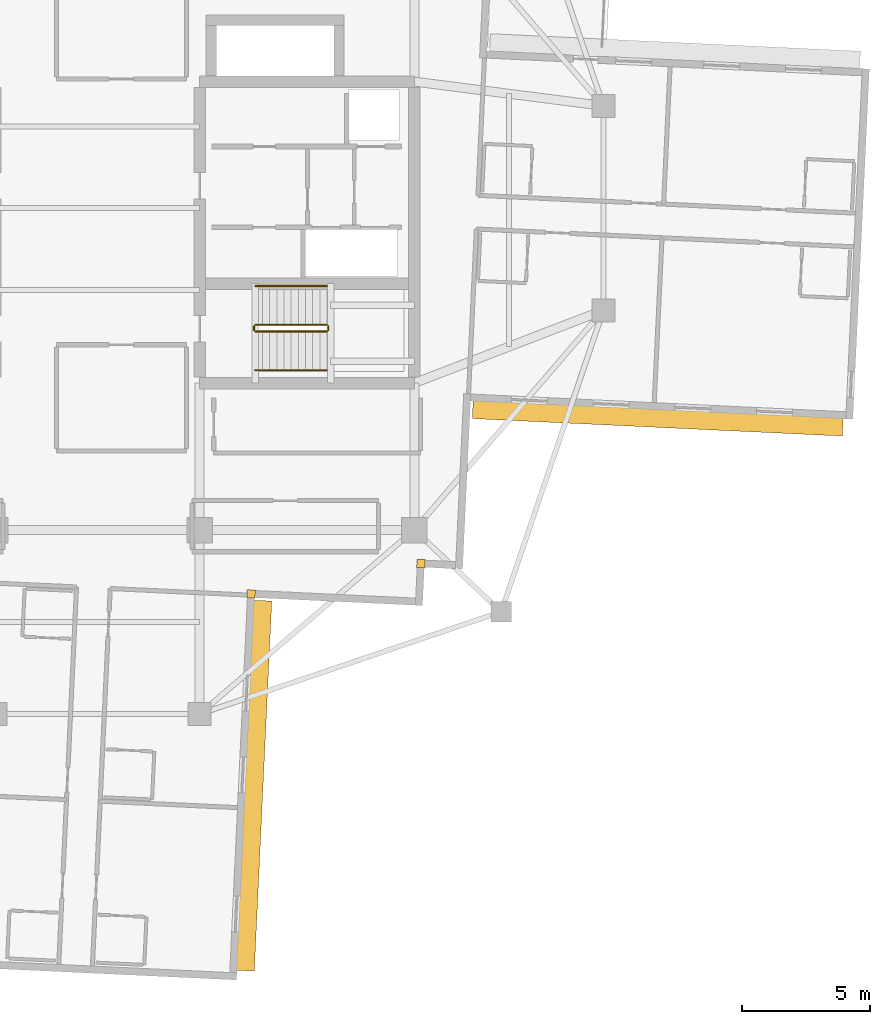
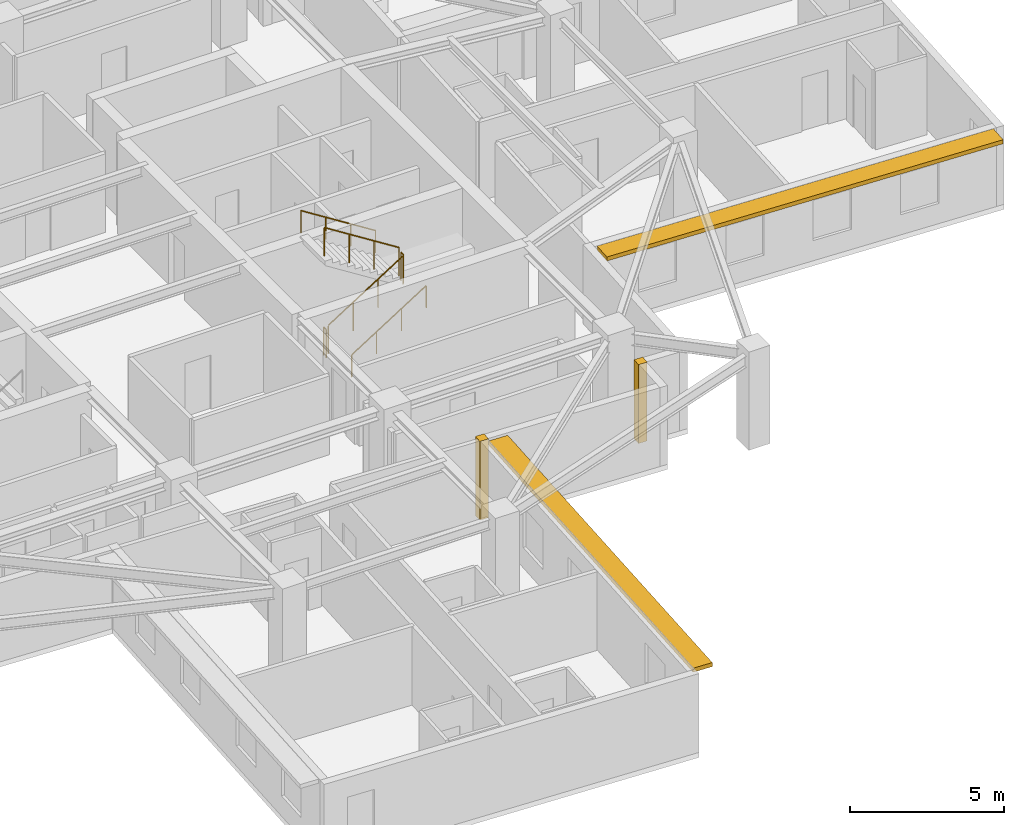
# One storey, part 11 of 13: 6 railings, 2 coverings, 2 shading devices.
"""IFC4 building model written with IfcOpenShell, lengths in metres."""

from ifc_helpers import new_model, si_unit, direction, frame, origin, origin_2d, place, context, subcontext, project, spatial, rectangle, circle, extrude, material, layer, layer_set, type_object, element, save


model = new_model("IFC4")

# Units and contexts
model_context = context("Model", 3, precision=1e-05, world=origin(), true_north=direction((0.0, 1.0)))
body_context = subcontext(model_context, "Body", "Model", "MODEL_VIEW")
ifc_project = project(units=[si_unit("LENGTHUNIT", "METRE"), si_unit("AREAUNIT", "SQUARE_METRE"), si_unit("VOLUMEUNIT", "CUBIC_METRE"), si_unit("PLANEANGLEUNIT", "RADIAN"), si_unit("MASSUNIT", "GRAM", prefix="KILO")], contexts=[model_context])

# Site, building, storey
site_placement = place(None, origin())
site = spatial("IfcSite", under=ifc_project, at=site_placement, CompositionType="ELEMENT")
building_placement = place(site_placement, origin())
building = spatial("IfcBuilding", under=site, at=building_placement, Name="Qingluan Cross Belvedere", CompositionType="ELEMENT")
storey_placement = place(building_placement, frame((0.0, 0.0, 236.39990234375)))
storey = spatial("IfcBuildingStorey", under=building, at=storey_placement, Name="L59", CompositionType="ELEMENT", Elevation=236.39990234375)

# Coverings
ifc_material_1 = material(Name="Precast concrete C45", Category="concrete")
ifc_layer_1 = layer(ifc_material_1, 0.1201171875, Name="ConcreteSpandrelCladding_120")
ifc_layer_set_1 = layer_set([ifc_layer_1], Name="Precast concrete C45")
covering_type = type_object("IfcCoveringType", Name="ConcreteSpandrelCladding_120", PredefinedType="CLADDING", material=ifc_layer_set_1)
for number, where, z_axis, x_axis, name in (
    (1, (12.65869140625, -13.911865234375, 0.000244140625), (0.0, 0.0, 1.0), (0.998889874962, -0.04710645071, 0.0), "Corner closure L59-SE1"),
    (2, (6.015380859375, -15.10009765625, 0.000244140625), (0.0, 0.0, 1.0), (0.998889874962, -0.04710645071, 0.0), "Corner closure L59-SE2"),
):
    element("IfcCovering", number, at=place(storey_placement, frame(where, z_axis=z_axis, x_axis=x_axis)), inside=storey, type_object=covering_type, Name=name, PredefinedType="CLADDING", context=body_context, shape_type="SweptSolid", body=[
        extrude(rectangle(XDim=0.320068359375, YDim=0.320068359375, at=origin_2d()), origin(), (0.0, 0.0, 1.0), 3.1298828125),
    ])

# Shading devices
ifc_material_2 = material(Name="Precast concrete C45", Category="concrete")
ifc_layer_2 = layer(ifc_material_2, 0.139892578125, Name="ConcreteSunshadeBand_700")
ifc_layer_set_2 = layer_set([ifc_layer_2], Name="Precast concrete C45")
shading_device_type = type_object("IfcShadingDeviceType", Name="ConcreteSunshadeBand_700", PredefinedType="USERDEFINED", material=ifc_layer_set_2)
for number, where, z_axis, x_axis, name in (
    (3, (21.926513671875, -8.23193359375, 2.9501953125), (0.0, 0.0, 1.0), (0.998889750114, -0.047109098032, 0.0), "Concrete SUNSHADE L59-EA"),
    (4, (6.132080078125, -22.60400390625, 2.9501953125), (0.0, 0.0, 1.0), (0.047108777928, 0.99888976521, 0.0), "Concrete SUNSHADE L59-SB"),
):
    element("IfcShadingDevice", number, at=place(storey_placement, frame(where, z_axis=z_axis, x_axis=x_axis)), inside=storey, type_object=shading_device_type, Name=name, ObjectType="SUNSHADE", PredefinedType="USERDEFINED", context=body_context, shape_type="SweptSolid", body=[
        extrude(rectangle(XDim=14.5, YDim=0.699951171875, at=origin_2d()), origin(), (0.0, 0.0, 1.0), 0.159912109375),
    ])

# Railings
ifc_material_3 = material(Name="Brushed stainless steel tubular handrail", Category="steel")
railing_type_1 = type_object("IfcRailingType", Name="StairPitchHandrail_900", PredefinedType="HANDRAIL", material=ifc_material_3)
railing_1_placement = place(storey_placement, frame((6.179931640625, -6.35009765625, 0.177490234375)))
element("IfcRailing", 5, at=railing_1_placement, inside=storey, type_object=railing_type_1, Name="L59 ST2 stair handrail 1", PredefinedType="HANDRAIL", context=body_context, shape_type="SweptSolid", body=[
    extrude(circle(Radius=0.02392578125, at=origin_2d()), frame((0.0, 0.0, 0.8759765625), z_axis=(0.844908973607, 0.0, 0.534910110503), x_axis=(0.0, 1.0, 0.0)), (0.0, 0.0, 1.0), 3.31396484375),
    extrude(circle(Radius=0.02099609375, at=origin_2d()), origin(), (0.0, 0.0, 1.0), 0.851806640625),
    extrude(circle(Radius=0.02099609375, at=origin_2d()), frame((0.933349609375, 0.0, 0.5908203125)), (0.0, 0.0, 1.0), 0.851806640625),
    extrude(circle(Radius=0.02099609375, at=origin_2d()), frame((1.86669921875, 0.0, 1.181884765625)), (0.0, 0.0, 1.0), 0.851806640625),
    extrude(circle(Radius=0.02099609375, at=origin_2d()), frame((2.800048828125, 0.0, 1.772705078125)), (0.0, 0.0, 1.0), 0.851806640625),
])
railing_2_placement = place(storey_placement, frame((8.97998046875, -3.050048828125, 2.12744140625)))
element("IfcRailing", 6, at=railing_2_placement, inside=storey, type_object=railing_type_1, Name="L59 ST2 stair handrail 2", PredefinedType="HANDRAIL", context=body_context, shape_type="SweptSolid", body=[
    extrude(circle(Radius=0.02392578125, at=origin_2d()), frame((0.0, 0.0, 0.8759765625), z_axis=(-0.844908973607, 0.0, 0.534910110503), x_axis=(0.0, -1.0, 0.0)), (0.0, 0.0, 1.0), 3.31396484375),
    extrude(circle(Radius=0.02099609375, at=origin_2d()), origin(), (0.0, 0.0, 1.0), 0.851806640625),
    extrude(circle(Radius=0.02099609375, at=origin_2d()), frame((-0.933349609375, 0.0, 0.5908203125)), (0.0, 0.0, 1.0), 0.851806640625),
    extrude(circle(Radius=0.02099609375, at=origin_2d()), frame((-1.86669921875, 0.0, 1.181884765625)), (0.0, 0.0, 1.0), 0.851806640625),
    extrude(circle(Radius=0.02099609375, at=origin_2d()), frame((-2.800048828125, 0.0, 1.772705078125)), (0.0, 0.0, 1.0), 0.851806640625),
])
ifc_material_4 = material(Name="Painted steel stair well guard", Category="steel")
railing_type_2 = type_object("IfcRailingType", Name="StairWellGuard_1150", PredefinedType="BALUSTRADE", material=ifc_material_4)
railing_3_placement = place(storey_placement, frame((6.179931640625, -4.830078125, 0.177490234375)))
element("IfcRailing", 7, at=railing_3_placement, inside=storey, type_object=railing_type_2, Name="L59 ST2 stair guard 1", PredefinedType="BALUSTRADE", context=body_context, shape_type="SweptSolid", body=[
    extrude(circle(Radius=0.02392578125, at=origin_2d()), frame((0.0, 0.0, 1.1259765625), z_axis=(0.844908973607, 0.0, 0.534910110503), x_axis=(0.0, 1.0, 0.0)), (0.0, 0.0, 1.0), 3.31396484375),
    extrude(circle(Radius=0.02099609375, at=origin_2d()), origin(), (0.0, 0.0, 1.0), 1.101806640625),
    extrude(circle(Radius=0.02099609375, at=origin_2d()), frame((0.933349609375, 0.0, 0.5908203125)), (0.0, 0.0, 1.0), 1.101806640625),
    extrude(circle(Radius=0.02099609375, at=origin_2d()), frame((1.86669921875, 0.0, 1.181884765625)), (0.0, 0.0, 1.0), 1.101806640625),
    extrude(circle(Radius=0.02099609375, at=origin_2d()), frame((2.800048828125, 0.0, 1.772705078125)), (0.0, 0.0, 1.0), 1.101806640625),
])
railing_4_placement = place(storey_placement, frame((9.030029296875, -4.780029296875, 1.9501953125)))
element("IfcRailing", 8, at=railing_4_placement, inside=storey, type_object=railing_type_2, Name="L59 ST2 stair guard 2", PredefinedType="BALUSTRADE", context=body_context, shape_type="SweptSolid", body=[
    extrude(circle(Radius=0.02392578125, at=origin_2d()), frame((0.0, 0.0, 1.1259765625), z_axis=(0.0, 1.0, 0.0), x_axis=(-1.0, 0.0, 0.0)), (0.0, 0.0, 1.0), 0.159912109375),
    extrude(circle(Radius=0.02099609375, at=origin_2d()), origin(), (0.0, 0.0, 1.0), 1.101806640625),
    extrude(circle(Radius=0.02099609375, at=origin_2d()), frame((0.0, 0.159912109375, 0.0)), (0.0, 0.0, 1.0), 1.101806640625),
])
railing_5_placement = place(storey_placement, frame((8.97998046875, -4.570068359375, 2.12744140625)))
element("IfcRailing", 9, at=railing_5_placement, inside=storey, type_object=railing_type_2, Name="L59 ST2 stair guard 3", PredefinedType="BALUSTRADE", context=body_context, shape_type="SweptSolid", body=[
    extrude(circle(Radius=0.02392578125, at=origin_2d()), frame((0.0, 0.0, 1.1259765625), z_axis=(-0.844908973607, 0.0, 0.534910110503), x_axis=(0.0, -1.0, 0.0)), (0.0, 0.0, 1.0), 3.31396484375),
    extrude(circle(Radius=0.02099609375, at=origin_2d()), origin(), (0.0, 0.0, 1.0), 1.101806640625),
    extrude(circle(Radius=0.02099609375, at=origin_2d()), frame((-0.933349609375, 0.0, 0.5908203125)), (0.0, 0.0, 1.0), 1.101806640625),
    extrude(circle(Radius=0.02099609375, at=origin_2d()), frame((-1.86669921875, 0.0, 1.181884765625)), (0.0, 0.0, 1.0), 1.101806640625),
    extrude(circle(Radius=0.02099609375, at=origin_2d()), frame((-2.800048828125, 0.0, 1.772705078125)), (0.0, 0.0, 1.0), 1.101806640625),
])
railing_6_placement = place(storey_placement, frame((6.1298828125, -4.780029296875, 0.0)))
element("IfcRailing", 10, at=railing_6_placement, inside=storey, type_object=railing_type_2, Name="L59 ST2 stair guard 4", PredefinedType="BALUSTRADE", context=body_context, shape_type="SweptSolid", body=[
    extrude(circle(Radius=0.02392578125, at=origin_2d()), frame((0.0, 0.0, 1.1259765625), z_axis=(0.0, 1.0, 0.0), x_axis=(-1.0, 0.0, 0.0)), (0.0, 0.0, 1.0), 0.159912109375),
    extrude(circle(Radius=0.02099609375, at=origin_2d()), origin(), (0.0, 0.0, 1.0), 1.101806640625),
    extrude(circle(Radius=0.02099609375, at=origin_2d()), frame((0.0, 0.159912109375, 0.0)), (0.0, 0.0, 1.0), 1.101806640625),
])

save(model, "model.ifc")
